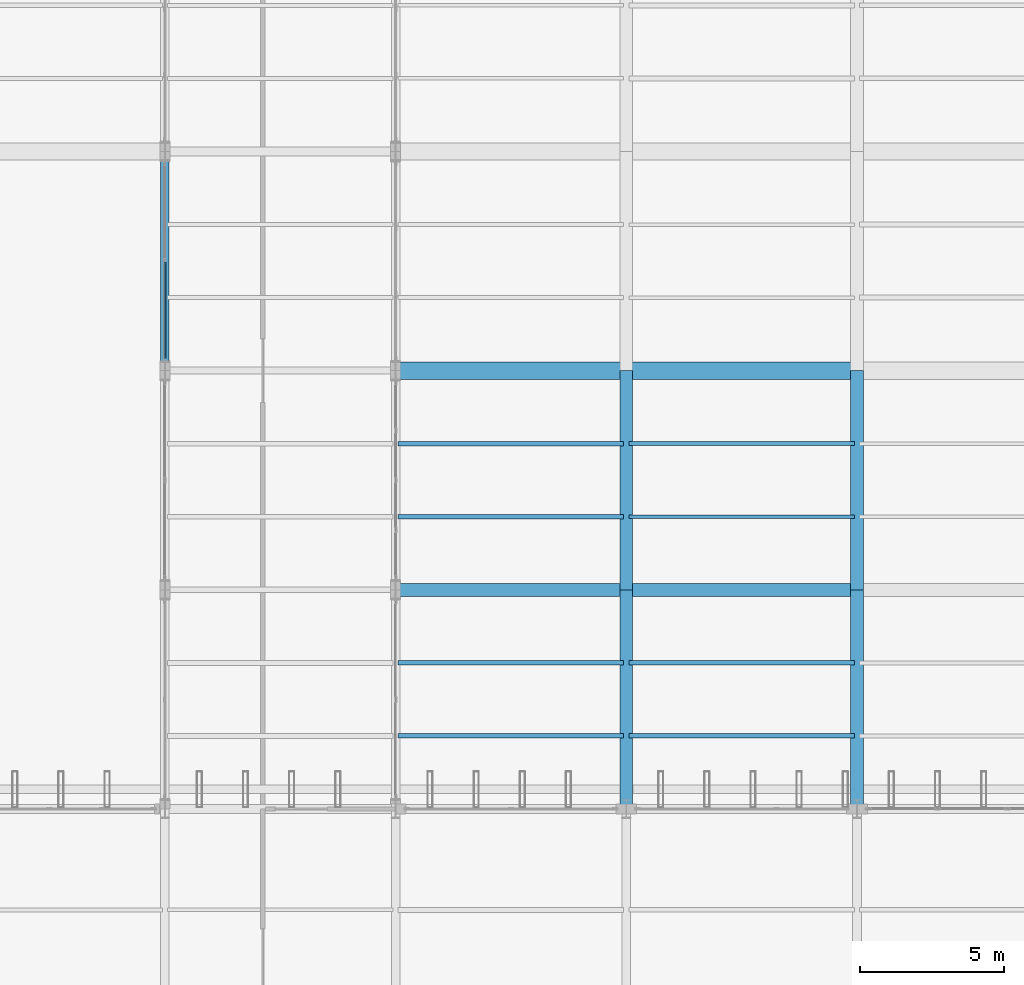
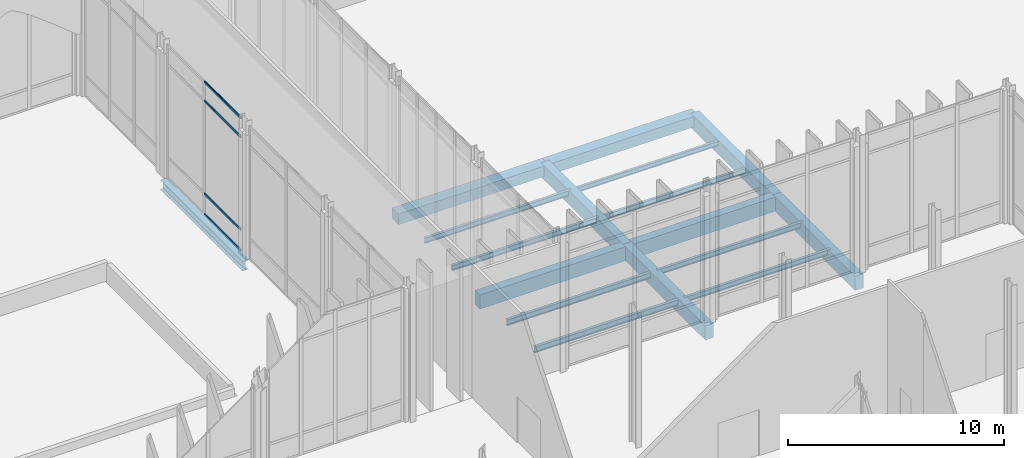
# One storey, part 72 of 176: 17 beams, 4 members, 1 element without a shape of its own.
"""IFC4 building model written with IfcOpenShell, lengths in metres."""

from ifc_helpers import new_model, si_unit, direction, frame, origin, origin_2d, place, context, subcontext, project, spatial, rectangle, hollow_rectangle, i_section, extrude, material, layer, layer_set, material_profile, profile_set, type_object, element, aggregate, save


model = new_model("IFC4")

# Units and contexts
model_context = context("Model", 3, precision=1e-05, world=origin(), true_north=direction((0.0, 1.0)))
body_context = subcontext(model_context, "Body", "Model", "MODEL_VIEW")
ifc_project = project(units=[si_unit("LENGTHUNIT", "METRE"), si_unit("AREAUNIT", "SQUARE_METRE"), si_unit("VOLUMEUNIT", "CUBIC_METRE"), si_unit("PLANEANGLEUNIT", "RADIAN"), si_unit("MASSUNIT", "GRAM", prefix="KILO")], contexts=[model_context])

# Site, building, storey
site_placement = place(None, origin())
site = spatial("IfcSite", under=ifc_project, at=site_placement, CompositionType="ELEMENT")
building_placement = place(site_placement, origin())
building = spatial("IfcBuilding", under=site, at=building_placement, Name="Vekula Escarpment Museum", CompositionType="ELEMENT")
storey_placement = place(building_placement, origin())
storey = spatial("IfcBuildingStorey", under=building, at=storey_placement, Name="L01", CompositionType="ELEMENT", Elevation=0.0)

# Beams
ifc_material_1 = material(Name="Steel S355", Category="steel")
ifc_material_profile_1 = material_profile(ifc_material_1, i_section(OverallWidth=0.300048828125, OverallDepth=0.550048828125, WebThickness=0.014892578125, FlangeThickness=0.029052734375, FilletRadius=0.027099609375, at=origin_2d()), Name="HEB 550")
ifc_profile_set_1 = profile_set([ifc_material_profile_1], Name="Steel S355")
beam_type_1 = type_object("IfcBeamType", Name="BM-GIRD-HEB550", PredefinedType="BEAM", material=ifc_profile_set_1)
beam_placement = place(storey_placement, frame((94.0, 105.60009765625, -0.574951171875), z_axis=(0.0, 1.0, 0.0), x_axis=(-1.0, 0.0, 0.0)))
element("IfcBeam", 1, at=beam_placement, inside=storey, type_object=beam_type_1, Name="Beam Y L01 0590", PredefinedType="BEAM", context=body_context, shape_type="SweptSolid", body=[
    extrude(i_section(OverallWidth=0.300048828125, OverallDepth=0.550048828125, WebThickness=0.014892578125, FlangeThickness=0.029052734375, FilletRadius=0.027099609375, at=origin_2d()), origin(), (0.0, 0.0, 1.0), 7.599853515625),
])
ifc_material_2 = material(Name="Steel S355", Category="steel")
ifc_material_profile_2 = material_profile(ifc_material_2, i_section(OverallWidth=0.135009765625, OverallDepth=0.27001953125, WebThickness=0.006591796875, FlangeThickness=0.01025390625, FilletRadius=0.014892578125, at=origin_2d()), Name="IPE 270")
ifc_profile_set_2 = profile_set([ifc_material_profile_2], Name="Steel S355")
beam_type_2 = type_object("IfcBeamType", Name="BM-JST-IPE270", PredefinedType="JOIST", material=ifc_profile_set_2)
for number, where, z_axis, x_axis, name in (
    (2, (110.090087890625, 100.533203125, -0.43505859375), (1.0, 0.0, 0.0), (0.0, 1.0, 0.0), "Secondary Joist L01 0373"),
    (3, (110.090087890625, 103.066650390625, -0.43505859375), (1.0, 0.0, 0.0), (0.0, 1.0, 0.0), "Secondary Joist L01 0374"),
):
    element("IfcBeam", number, at=place(storey_placement, frame(where, z_axis=z_axis, x_axis=x_axis)), inside=storey, type_object=beam_type_2, Name=name, PredefinedType="JOIST", context=body_context, shape_type="SweptSolid", body=[
        extrude(i_section(OverallWidth=0.135009765625, OverallDepth=0.27001953125, WebThickness=0.006591796875, FlangeThickness=0.01025390625, FilletRadius=0.014892578125, at=origin_2d()), origin(), (0.0, 0.0, 1.0), 7.81982421875),
    ])
ifc_material_3 = material(Name="Steel S355", Category="steel")
ifc_material_profile_3 = material_profile(ifc_material_3, i_section(OverallWidth=0.14990234375, OverallDepth=0.300048828125, WebThickness=0.007080078125, FlangeThickness=0.0107421875, FilletRadius=0.014892578125, at=origin_2d()), Name="IPE 300")
ifc_profile_set_3 = profile_set([ifc_material_profile_3], Name="Steel S355")
beam_type_3 = type_object("IfcBeamType", Name="BM-JST-IPE300", PredefinedType="JOIST", material=ifc_profile_set_3)
for number, where, z_axis, x_axis, name in (
    (4, (102.090087890625, 100.533203125, -0.449951171875), (1.0, 0.0, 0.0), (0.0, 1.0, 0.0), "Secondary Joist L01 0342"),
    (5, (102.090087890625, 103.066650390625, -0.449951171875), (1.0, 0.0, 0.0), (0.0, 1.0, 0.0), "Secondary Joist L01 0343"),
    (6, (110.090087890625, 92.933349609375, -0.449951171875), (1.0, 0.0, 0.0), (0.0, 1.0, 0.0), "Secondary Joist L01 0371"),
    (7, (110.090087890625, 95.466796875, -0.449951171875), (1.0, 0.0, 0.0), (0.0, 1.0, 0.0), "Secondary Joist L01 0372"),
):
    element("IfcBeam", number, at=place(storey_placement, frame(where, z_axis=z_axis, x_axis=x_axis)), inside=storey, type_object=beam_type_3, Name=name, PredefinedType="JOIST", context=body_context, shape_type="SweptSolid", body=[
        extrude(i_section(OverallWidth=0.14990234375, OverallDepth=0.300048828125, WebThickness=0.007080078125, FlangeThickness=0.0107421875, FilletRadius=0.014892578125, at=origin_2d()), origin(), (0.0, 0.0, 1.0), 7.81982421875),
    ])
ifc_material_4 = material(Name="Steel S355", Category="steel")
ifc_material_profile_4 = material_profile(ifc_material_4, i_section(OverallWidth=0.159912109375, OverallDepth=0.330078125, WebThickness=0.007568359375, FlangeThickness=0.011474609375, FilletRadius=0.01806640625, at=origin_2d()), Name="IPE 330")
ifc_profile_set_4 = profile_set([ifc_material_profile_4], Name="Steel S355")
beam_type_4 = type_object("IfcBeamType", Name="BM-JST-IPE330", PredefinedType="JOIST", material=ifc_profile_set_4)
for number, where, z_axis, x_axis, name in (
    (8, (102.090087890625, 92.933349609375, -0.465087890625), (1.0, 0.0, 0.0), (0.0, 1.0, 0.0), "Secondary Joist L01 0340"),
    (9, (102.090087890625, 95.466796875, -0.465087890625), (1.0, 0.0, 0.0), (0.0, 1.0, 0.0), "Secondary Joist L01 0341"),
):
    element("IfcBeam", number, at=place(storey_placement, frame(where, z_axis=z_axis, x_axis=x_axis)), inside=storey, type_object=beam_type_4, Name=name, PredefinedType="JOIST", context=body_context, shape_type="SweptSolid", body=[
        extrude(i_section(OverallWidth=0.159912109375, OverallDepth=0.330078125, WebThickness=0.007568359375, FlangeThickness=0.011474609375, FilletRadius=0.01806640625, at=origin_2d()), origin(), (0.0, 0.0, 1.0), 7.81982421875),
    ])
ifc_material_5 = material(Name="Concrete C35/45", Category="concrete")
ifc_material_profile_5 = material_profile(ifc_material_5, rectangle(XDim=0.449951171875, YDim=0.800048828125, at=origin_2d()), Name="RC 450x800")
ifc_profile_set_5 = profile_set([ifc_material_profile_5], Name="Concrete C35/45")
beam_type_5 = type_object("IfcBeamType", Name="BM-PLINTH-RC", PredefinedType="BEAM", material=ifc_profile_set_5)
for number, where, z_axis, x_axis, name in (
    (10, (102.0, 98.0, -0.699951171875), (1.0, 0.0, 0.0), (0.0, 1.0, 0.0), "Beam X L01 0277"),
    (11, (110.0, 98.0, -0.699951171875), (1.0, 0.0, 0.0), (0.0, 1.0, 0.0), "Beam X L01 0278"),
):
    element("IfcBeam", number, at=place(storey_placement, frame(where, z_axis=z_axis, x_axis=x_axis)), inside=storey, type_object=beam_type_5, Name=name, PredefinedType="BEAM", context=body_context, shape_type="SweptSolid", body=[
        extrude(rectangle(XDim=0.449951171875, YDim=0.800048828125, at=origin_2d()), origin(), (0.0, 0.0, 1.0), 8.0),
    ])
for number, where, z_axis, x_axis, name in (
    (12, (110.0, 90.39990234375, -0.699951171875), (0.0, 1.0, 0.0), (-1.0, 0.0, 0.0), "Beam Y L01 0624"),
    (13, (110.0, 98.0, -0.699951171875), (0.0, 1.0, 0.0), (-1.0, 0.0, 0.0), "Beam Y L01 0625"),
    (14, (118.0, 90.39990234375, -0.699951171875), (0.0, 1.0, 0.0), (-1.0, 0.0, 0.0), "Beam Y L01 0642"),
    (15, (118.0, 98.0, -0.699951171875), (0.0, 1.0, 0.0), (-1.0, 0.0, 0.0), "Beam Y L01 0643"),
):
    element("IfcBeam", number, at=place(storey_placement, frame(where, z_axis=z_axis, x_axis=x_axis)), inside=storey, type_object=beam_type_5, Name=name, PredefinedType="BEAM", context=body_context, shape_type="SweptSolid", body=[
        extrude(rectangle(XDim=0.449951171875, YDim=0.800048828125, at=origin_2d()), origin(), (0.0, 0.0, 1.0), 7.60009765625),
    ])
ifc_material_6 = material(Name="Concrete C35/45", Category="concrete")
ifc_material_profile_6 = material_profile(ifc_material_6, rectangle(XDim=0.60009765625, YDim=0.60009765625, at=origin_2d()), Name="RC 600x600")
ifc_profile_set_6 = profile_set([ifc_material_profile_6], Name="Concrete C35/45")
beam_type_6 = type_object("IfcBeamType", Name="BM-PLINTH-RC4", PredefinedType="BEAM", material=ifc_profile_set_6)
for number, where, z_axis, x_axis, name in (
    (16, (102.0, 105.60009765625, -0.60009765625), (1.0, 0.0, 0.0), (0.0, 1.0, 0.0), "Beam X L01 0297"),
    (17, (110.0, 105.60009765625, -0.60009765625), (1.0, 0.0, 0.0), (0.0, 1.0, 0.0), "Beam X L01 0298"),
):
    element("IfcBeam", number, at=place(storey_placement, frame(where, z_axis=z_axis, x_axis=x_axis)), inside=storey, type_object=beam_type_6, Name=name, PredefinedType="BEAM", context=body_context, shape_type="SweptSolid", body=[
        extrude(rectangle(XDim=0.60009765625, YDim=0.60009765625, at=origin_2d()), origin(), (0.0, 0.0, 1.0), 8.0),
    ])

# Curtain wall, members
ifc_material_7 = material(Name="Aluminium thermally broken framing", Category="aluminium")
ifc_layer = layer(ifc_material_7, 0.139892578125)
ifc_layer_set = layer_set([ifc_layer], Name="Aluminium thermally broken framing")
curtain_wall_type = type_object("IfcCurtainWallType", Name="CW-SYS-06", PredefinedType="NOTDEFINED", material=ifc_layer_set)
curtain_wall_placement = place(storey_placement, origin())
curtain_wall = element("IfcCurtainWall", 18, at=curtain_wall_placement, inside=storey, type_object=curtain_wall_type, Name="Curtain Wall CW-L01-036", PredefinedType="NOTDEFINED")
ifc_material_8 = material(Name="Aluminium anodized transom", Category="aluminium")
ifc_material_profile_7 = material_profile(ifc_material_8, hollow_rectangle(XDim=0.06494140625, YDim=0.139892578125, WallThickness=0.00390625, InnerFilletRadius=0.00390625, OuterFilletRadius=0.008056640625, at=origin_2d()), Name="ALU 140x65x4")
ifc_profile_set_7 = profile_set([ifc_material_profile_7], Name="Aluminium anodized transom")
member_type = type_object("IfcMemberType", Name="CW-TRN-140", PredefinedType="USERDEFINED", material=ifc_profile_set_7)
member_1_placement = place(storey_placement, frame((94.0, 109.367431640625, 0.032470703125), z_axis=(0.0, -1.0, 0.0), x_axis=(1.0, 0.0, 0.0)))
member_1 = element("IfcMember", 19, at=member_1_placement, type_object=member_type, Name="CW-06 transom 2.1", ObjectType="TRANSOM", PredefinedType="USERDEFINED", context=body_context, shape_type="SweptSolid", body=[
    extrude(hollow_rectangle(XDim=0.06494140625, YDim=0.139892578125, WallThickness=0.00390625, InnerFilletRadius=0.00390625, OuterFilletRadius=0.008056640625, at=origin_2d()), origin(), (0.0, 0.0, 1.0), 3.342529296875),
])
member_2_placement = place(storey_placement, frame((94.0, 109.367431640625, 1.199951171875), z_axis=(0.0, -1.0, 0.0), x_axis=(1.0, 0.0, 0.0)))
member_2 = element("IfcMember", 20, at=member_2_placement, type_object=member_type, Name="CW-06 transom 2.2", ObjectType="TRANSOM", PredefinedType="USERDEFINED", context=body_context, shape_type="SweptSolid", body=[
    extrude(hollow_rectangle(XDim=0.06494140625, YDim=0.139892578125, WallThickness=0.00390625, InnerFilletRadius=0.00390625, OuterFilletRadius=0.008056640625, at=origin_2d()), origin(), (0.0, 0.0, 1.0), 3.342529296875),
])
member_3_placement = place(storey_placement, frame((94.0, 109.367431640625, 6.43994140625), z_axis=(0.0, -1.0, 0.0), x_axis=(1.0, 0.0, 0.0)))
member_3 = element("IfcMember", 21, at=member_3_placement, type_object=member_type, Name="CW-06 transom 2.3", ObjectType="TRANSOM", PredefinedType="USERDEFINED", context=body_context, shape_type="SweptSolid", body=[
    extrude(hollow_rectangle(XDim=0.06494140625, YDim=0.139892578125, WallThickness=0.00390625, InnerFilletRadius=0.00390625, OuterFilletRadius=0.008056640625, at=origin_2d()), origin(), (0.0, 0.0, 1.0), 3.342529296875),
])
member_4_placement = place(storey_placement, frame((94.0, 109.367431640625, 7.507568359375), z_axis=(0.0, -1.0, 0.0), x_axis=(1.0, 0.0, 0.0)))
member_4 = element("IfcMember", 22, at=member_4_placement, type_object=member_type, Name="CW-06 transom 2.4", ObjectType="TRANSOM", PredefinedType="USERDEFINED", context=body_context, shape_type="SweptSolid", body=[
    extrude(hollow_rectangle(XDim=0.06494140625, YDim=0.139892578125, WallThickness=0.00390625, InnerFilletRadius=0.00390625, OuterFilletRadius=0.008056640625, at=origin_2d()), origin(), (0.0, 0.0, 1.0), 3.342529296875),
])
aggregate(curtain_wall, [member_1, member_2, member_3, member_4])

save(model, "model.ifc")
